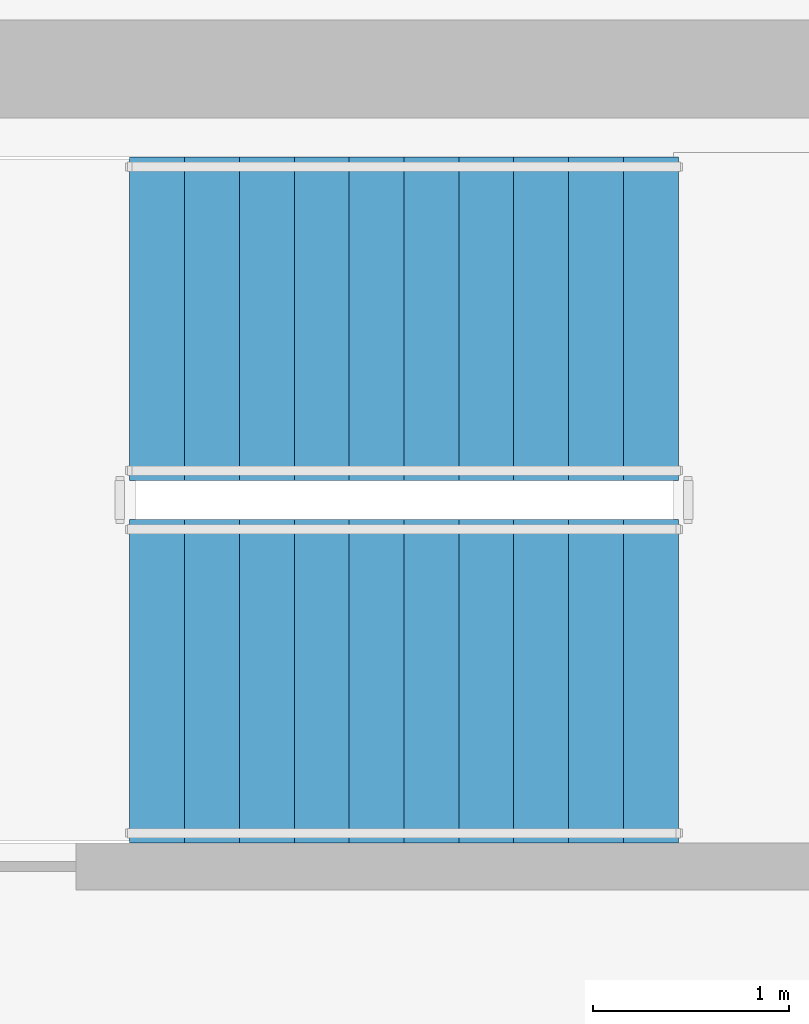
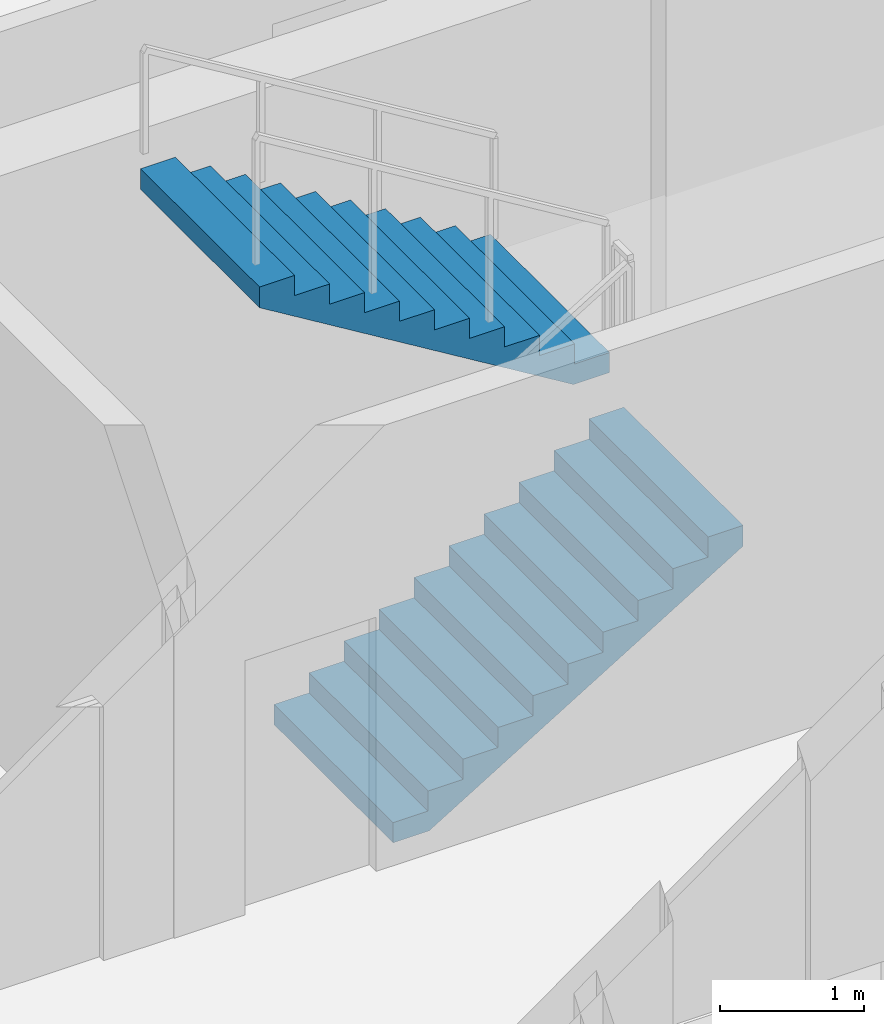
# One storey, part 23 of 28: 2 stair flights, 1 element without a shape of its own.
"""IFC4 building model written with IfcOpenShell, lengths in metres."""

from ifc_helpers import new_model, si_unit, direction, frame, origin, place, context, subcontext, project, spatial, polyline, outline, extrude, material, type_object, element, aggregate, save


model = new_model("IFC4")

# Units and contexts
model_context = context("Model", 3, precision=1e-05, world=origin(), true_north=direction((0.0, 1.0)))
body_context = subcontext(model_context, "Body", "Model", "MODEL_VIEW")
ifc_project = project(units=[si_unit("LENGTHUNIT", "METRE"), si_unit("AREAUNIT", "SQUARE_METRE"), si_unit("VOLUMEUNIT", "CUBIC_METRE"), si_unit("PLANEANGLEUNIT", "RADIAN"), si_unit("MASSUNIT", "GRAM", prefix="KILO")], contexts=[model_context])

# Site, building, storey
site_placement = place(None, origin())
site = spatial("IfcSite", under=ifc_project, at=site_placement, CompositionType="ELEMENT")
building_placement = place(site_placement, origin())
building = spatial("IfcBuilding", under=site, at=building_placement, Name="Haldenkirk Collegiate Tower", CompositionType="ELEMENT")
storey_placement = place(building_placement, frame((0.0, 0.0, 202.199951171875)))
storey = spatial("IfcBuildingStorey", under=building, at=storey_placement, Name="L50", CompositionType="ELEMENT", Elevation=202.199951171875)

# Stair, stair flights
ifc_material = material(Name="Concrete f'c 40 MPa", Category="concrete")
stair_type = type_object("IfcStairType", Name="STR-DOGLEG-1650", PredefinedType="HALF_TURN_STAIR", material=ifc_material)
stair_placement = place(storey_placement, origin())
stair = element("IfcStair", 1, at=stair_placement, inside=storey, type_object=stair_type, Name="L50 Core Exit Stair ST-3", PredefinedType="HALF_TURN_STAIR")
stair_flight_type = type_object("IfcStairFlightType", Name="STF-FLIGHT-1650", PredefinedType="STRAIGHT", material=ifc_material)
stair_flight_1_placement = place(storey_placement, frame((33.64990234375, 30.875, 0.0), z_axis=(0.0, 0.0, 1.0), x_axis=(1.0, 0.0, 0.0)))
stair_flight_1 = element("IfcStairFlight", 2, at=stair_flight_1_placement, type_object=stair_flight_type, Name="ST-3 flight 1", NumberOfRisers=11, NumberOfTreads=10, PredefinedType="STRAIGHT", RiserHeight=0.170454545, TreadLength=0.28, context=body_context, shape_type="SweptSolid", body=[
    extrude(outline(polyline([(0.0, 0.0), (0.0, 0.17041015625), (0.280029296875, 0.17041015625), (0.280029296875, 0.3408203125), (0.56005859375, 0.3408203125), (0.56005859375, 0.511474609375), (0.840087890625, 0.511474609375), (0.840087890625, 0.681884765625), (1.1201171875, 0.681884765625), (1.1201171875, 0.852294921875), (1.39990234375, 0.852294921875), (1.39990234375, 1.022705078125), (1.679931640625, 1.022705078125), (1.679931640625, 1.193115234375), (1.9599609375, 1.193115234375), (1.9599609375, 1.363525390625), (2.239990234375, 1.363525390625), (2.239990234375, 1.5341796875), (2.52001953125, 1.5341796875), (2.52001953125, 1.70458984375), (2.800048828125, 1.70458984375), (2.800048828125, 1.875), (2.800048828125, 1.529052734375), (0.288330078125, 0.0), (0.0, 0.0)])), frame((0.0, 0.824951171875, 0.0), z_axis=(0.0, -1.0, 0.0), x_axis=(1.0, 0.0, 0.0)), (0.0, 0.0, 1.0), 1.64990234375),
])
stair_flight_2_placement = place(storey_placement, frame((36.449951171875, 32.72509765625, 1.875), z_axis=(0.0, 0.0, 1.0), x_axis=(-1.0, 0.0, 0.0)))
stair_flight_2 = element("IfcStairFlight", 3, at=stair_flight_2_placement, type_object=stair_flight_type, Name="ST-3 flight 2", NumberOfRisers=11, NumberOfTreads=10, PredefinedType="STRAIGHT", RiserHeight=0.170454545, TreadLength=0.28, context=body_context, shape_type="SweptSolid", body=[
    extrude(outline(polyline([(0.0, 0.0), (0.0, 0.17041015625), (0.280029296875, 0.17041015625), (0.280029296875, 0.3408203125), (0.56005859375, 0.3408203125), (0.56005859375, 0.511474609375), (0.840087890625, 0.511474609375), (0.840087890625, 0.681884765625), (1.1201171875, 0.681884765625), (1.1201171875, 0.852294921875), (1.39990234375, 0.852294921875), (1.39990234375, 1.022705078125), (1.679931640625, 1.022705078125), (1.679931640625, 1.193115234375), (1.9599609375, 1.193115234375), (1.9599609375, 1.363525390625), (2.239990234375, 1.363525390625), (2.239990234375, 1.5341796875), (2.52001953125, 1.5341796875), (2.52001953125, 1.70458984375), (2.800048828125, 1.70458984375), (2.800048828125, 1.875), (2.800048828125, 1.529052734375), (0.288330078125, 0.0), (0.0, 0.0)])), frame((0.0, 0.824951171875, 0.0), z_axis=(0.0, -1.0, 0.0), x_axis=(1.0, 0.0, 0.0)), (0.0, 0.0, 1.0), 1.64990234375),
])
aggregate(stair, [stair_flight_1, stair_flight_2])

save(model, "model.ifc")
